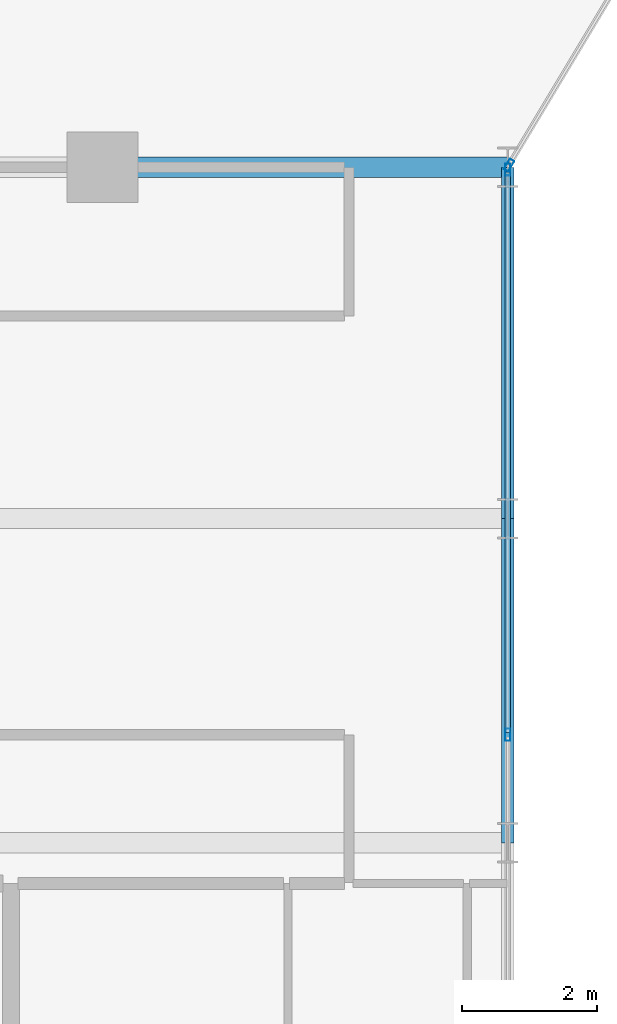
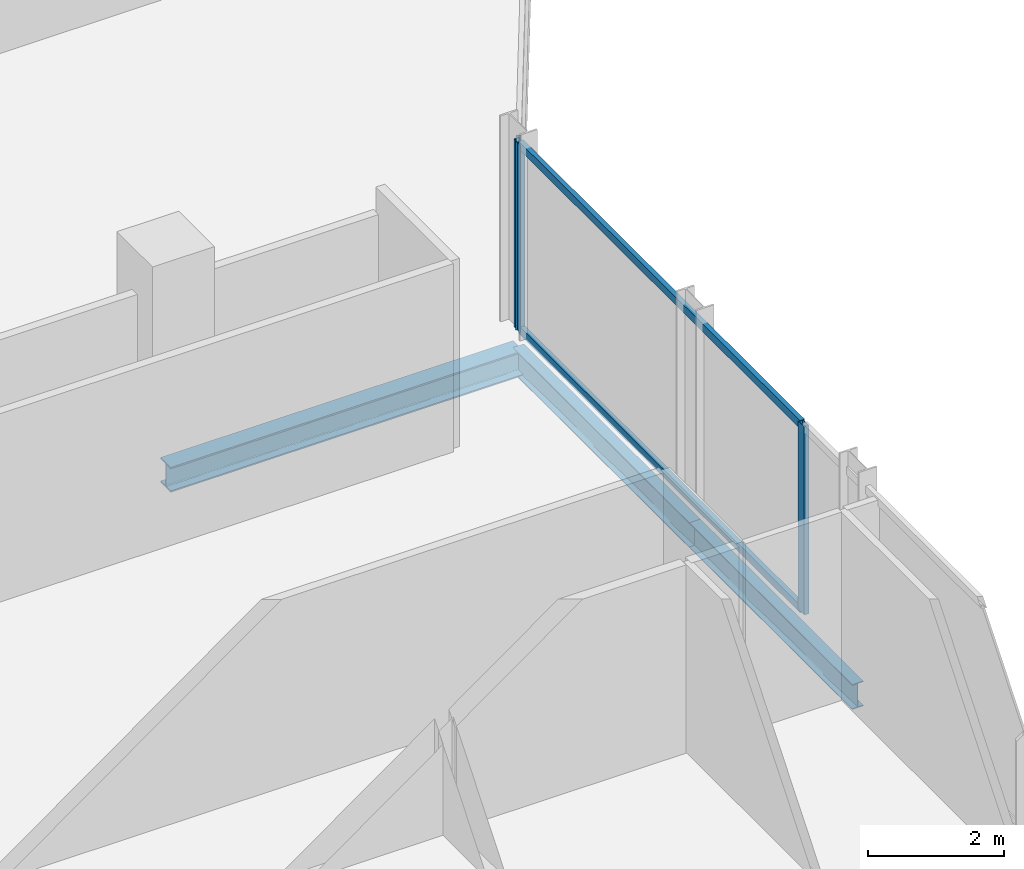
# One storey, part 12 of 30: 5 members, 3 beams, 2 elements without a shape of their own.
"""IFC4 building model written with IfcOpenShell, lengths in metres."""

import ifcopenshell
import ifcopenshell.guid

model = None  # the IFC model being written
_history = None  # IfcOwnerHistory: only IFC2X3 demands one
_inside = {}  # id of a spatial element -> (the spatial element, [elements in it])
_under = {}  # id of a project, library or spatial element -> (it, [spatial elements below it])
_declared = {}  # id of a project -> (the project, [libraries it declares])
_typed = {}  # id of a type object -> (the type object, [elements of that type])
_made_of = {}  # id of a material, layer set ... -> (it, [elements and type objects made of it])


def new_model(schema):
    """Start an empty IFC model of exactly this schema.

    Asked for "IFC4X3", IfcOpenShell would pick the latest addendum, in which some entities
    have other attributes; the version numbers below select the first issue.
    IFC2X3 requires an IfcOwnerHistory on every rooted entity: one is made here for all.
    """
    global model, _history
    if schema == "IFC4X3":
        model = ifcopenshell.file(schema_version=(4, 3, 0, 0))
    else:
        model = ifcopenshell.file(schema=schema)
    _inside.clear()
    _under.clear()
    _declared.clear()
    _typed.clear()
    _made_of.clear()
    _history = None
    if model.schema == "IFC2X3":
        org = make("IfcOrganization", Name="unknown")
        user = make(
            "IfcPersonAndOrganization",
            ThePerson=make("IfcPerson", FamilyName="unknown"),
            TheOrganization=org,
        )
        app = make(
            "IfcApplication",
            ApplicationDeveloper=org,
            Version="unknown",
            ApplicationFullName="unknown",
            ApplicationIdentifier="unknown",
        )
        _history = make(
            "IfcOwnerHistory",
            OwningUser=user,
            OwningApplication=app,
            ChangeAction="ADDED",
            CreationDate=0,
        )
    return model


def make(cls, **values):
    """One entity of the class cls with the attributes given. An attribute that is None is left unset."""
    return model.create_entity(
        cls, **{name: value for name, value in values.items() if value is not None}
    )


def rooted(cls, **values):
    """An entity with a GlobalId (a new one), such as an element, a storey or a relation."""
    return make(cls, GlobalId=ifcopenshell.guid.new(), OwnerHistory=_history, **values)


def si_unit(unit_type, name, prefix=None):
    """IfcSIUnit, for example si_unit("LENGTHUNIT", "METRE", prefix="MILLI")."""
    return make("IfcSIUnit", UnitType=unit_type, Prefix=prefix, Name=name)


def assignment(units):
    """IfcUnitAssignment: the units of a project."""
    return None if units is None else make("IfcUnitAssignment", Units=units)


def point(xyz):
    """IfcCartesianPoint."""
    return None if xyz is None else make("IfcCartesianPoint", Coordinates=xyz)


def direction(xyz):
    """IfcDirection."""
    return None if xyz is None else make("IfcDirection", DirectionRatios=xyz)


def frame(location, z_axis=None, x_axis=None):
    """IfcAxis2Placement3D, a coordinate frame: its origin and axes. An axis left out is left unset."""
    return make(
        "IfcAxis2Placement3D",
        Location=point(location),
        Axis=direction(z_axis),
        RefDirection=direction(x_axis),
    )


def frame_2d(location, x_axis=None):
    """IfcAxis2Placement2D, a coordinate frame in the plane: its origin and x axis."""
    return make(
        "IfcAxis2Placement2D", Location=point(location), RefDirection=direction(x_axis)
    )


def origin():
    """The frame at (0, 0, 0) with its axes left unset."""
    return frame((0.0, 0.0, 0.0))


def origin_2d():
    """The frame at (0, 0) in the plane with its x axis left unset."""
    return frame_2d((0.0, 0.0))


def place(relative_to, where):
    """IfcLocalPlacement: puts the frame where relative to a parent placement (None: the world)."""
    return make(
        "IfcLocalPlacement", PlacementRelTo=relative_to, RelativePlacement=where
    )


def context(
    kind, dimensions, precision=None, world=None, true_north=None, identifier=None
):
    """IfcGeometricRepresentationContext, for example the 3D "Model" context."""
    return make(
        "IfcGeometricRepresentationContext",
        ContextIdentifier=identifier,
        ContextType=kind,
        CoordinateSpaceDimension=dimensions,
        Precision=precision,
        WorldCoordinateSystem=world,
        TrueNorth=true_north,
    )


def subcontext(parent, identifier, kind, view, scale=None):
    """IfcGeometricRepresentationSubContext, for example "Body" below "Model"."""
    return make(
        "IfcGeometricRepresentationSubContext",
        ContextIdentifier=identifier,
        ContextType=kind,
        ParentContext=parent,
        TargetScale=scale,
        TargetView=view,
    )


def project(units=None, contexts=None):
    """IfcProject with its units and contexts."""
    return rooted(
        "IfcProject",
        Name="project",
        RepresentationContexts=contexts,
        UnitsInContext=assignment(units),
    )


def spatial(cls, under=None, at=None, **own):
    """A site, building, storey or space (cls), placed at a placement, below another one or the project."""
    s = rooted(cls, ObjectPlacement=at, **own)
    if under is not None:
        _under.setdefault(under.id(), (under, []))[1].append(s)
    return s


def profile(cls, at=None, kind="AREA", **sizes):
    """A parametric profile (cls). Its sizes go by their IFC names, for example OverallWidth=200.0."""
    return make(cls, ProfileType=kind, Position=at, **sizes)


def hollow_rectangle(**sizes):
    """IfcRectangleHollowProfileDef."""
    return profile("IfcRectangleHollowProfileDef", **sizes)


def i_section(**sizes):
    """IfcIShapeProfileDef."""
    return profile("IfcIShapeProfileDef", **sizes)


def extrude(swept, where, along, depth):
    """IfcExtrudedAreaSolid: the profile swept, set in the frame where, extruded along a direction by depth."""
    return make(
        "IfcExtrudedAreaSolid",
        SweptArea=swept,
        Position=where,
        ExtrudedDirection=direction(along),
        Depth=depth,
    )


def shape(context_of_items, identifier, shape_type, items):
    """IfcShapeRepresentation: the items that make up one representation, for example the "Body"."""
    return make(
        "IfcShapeRepresentation",
        ContextOfItems=context_of_items,
        RepresentationIdentifier=identifier,
        RepresentationType=shape_type,
        Items=items,
    )


def material(Name=None, Category=None):
    """IfcMaterial."""
    return make("IfcMaterial", Name=Name, Category=Category)


def layer(
    of_material, thickness, ventilated=None, Name=None, Category=None, Priority=None
):
    """IfcMaterialLayer: one layer of a wall or slab, of a material (None: an air gap)."""
    return make(
        "IfcMaterialLayer",
        Material=of_material,
        LayerThickness=thickness,
        IsVentilated=ventilated,
        Name=Name,
        Category=Category,
        Priority=Priority,
    )


def layer_set(layers, Name=None):
    """IfcMaterialLayerSet."""
    return make("IfcMaterialLayerSet", MaterialLayers=layers, LayerSetName=Name)


def material_profile(
    of_material, cross_section, Name=None, Category=None, Priority=None
):
    """IfcMaterialProfile: a cross section and its material."""
    return make(
        "IfcMaterialProfile",
        Name=Name,
        Material=of_material,
        Profile=cross_section,
        Priority=Priority,
        Category=Category,
    )


def profile_set(profiles, Name=None, composite=None):
    """IfcMaterialProfileSet."""
    return make(
        "IfcMaterialProfileSet",
        Name=Name,
        MaterialProfiles=profiles,
        CompositeProfile=composite,
    )


def made_of(thing, what):
    """Note that an element or type object is made of a material, layer set ...; save() writes the relation."""
    if what is not None:
        _made_of.setdefault(what.id(), (what, []))[1].append(thing)
    return thing


def type_object(cls, material=None, **own):
    """A type object (cls), such as IfcWallType, which elements share."""
    return made_of(rooted(cls, **own), material)


def element(
    cls,
    number,
    at=None,
    inside=None,
    cuts=None,
    type_object=None,
    material=None,
    context=None,
    identifier="Body",
    shape_type=None,
    held_by="IfcProductDefinitionShape",
    body=None,
    shapes=None,
    **own,
):
    """One element of the class cls, such as IfcWall. Its Tag is "e" and its number.

    at: its placement. inside: the storey or other place that contains it. cuts: it is an
    opening in that element (IfcRelVoidsElement). A single representation is given by context,
    identifier, shape_type and body (its items); several are given by shapes. held_by: the class
    of the entity that holds the representations. save() writes the other relations.
    """
    e = rooted(cls, Tag="e%d" % number, ObjectPlacement=at, **own)
    if body is not None:
        shapes = [shape(context, identifier, shape_type, body)]
    if shapes is not None:
        e.Representation = make(held_by, Representations=shapes)
    if inside is not None:
        _inside.setdefault(inside.id(), (inside, []))[1].append(e)
    if cuts is not None:
        rooted(
            "IfcRelVoidsElement", RelatingBuildingElement=cuts, RelatedOpeningElement=e
        )
    if type_object is not None:
        _typed.setdefault(type_object.id(), (type_object, []))[1].append(e)
    return made_of(e, material)


def aggregate(whole, parts):
    """IfcRelAggregates: a whole, such as a stair, and the parts it consists of."""
    return rooted("IfcRelAggregates", RelatingObject=whole, RelatedObjects=parts)


def save(model, path):
    """Write the relations noted so far, then the file.

    IfcRelAggregates (storeys below a building ...), IfcRelContainedInSpatialStructure (elements
    in a storey), IfcRelDefinesByType, IfcRelAssociatesMaterial and IfcRelDeclares: one each for
    every whole, place, type object, material and project.
    """
    for whole, parts in _under.values():
        aggregate(whole, parts)
    for where, things in _inside.values():
        rooted(
            "IfcRelContainedInSpatialStructure",
            RelatedElements=things,
            RelatingStructure=where,
        )
    for kind, things in _typed.values():
        rooted("IfcRelDefinesByType", RelatedObjects=things, RelatingType=kind)
    for what, things in _made_of.values():
        rooted("IfcRelAssociatesMaterial", RelatedObjects=things, RelatingMaterial=what)
    for by, libraries in _declared.values():
        rooted("IfcRelDeclares", RelatingContext=by, RelatedDefinitions=libraries)
    model.write(path)


model = new_model("IFC4")

# Units and contexts
model_context = context("Model", 3, precision=1e-05, world=origin(), true_north=direction((0.0, 1.0)))
body_context = subcontext(model_context, "Body", "Model", "MODEL_VIEW")
ifc_project = project(units=[si_unit("LENGTHUNIT", "METRE"), si_unit("AREAUNIT", "SQUARE_METRE"), si_unit("VOLUMEUNIT", "CUBIC_METRE"), si_unit("PLANEANGLEUNIT", "RADIAN"), si_unit("MASSUNIT", "GRAM", prefix="KILO")], contexts=[model_context])

# Site, building, storey
site_placement = place(None, origin())
site = spatial("IfcSite", under=ifc_project, at=site_placement, CompositionType="ELEMENT")
building_placement = place(site_placement, origin())
building = spatial("IfcBuilding", under=site, at=building_placement, Name="Keshet Zoharim Tower", CompositionType="ELEMENT")
storey_placement = place(building_placement, frame((0.0, 0.0, 90.89990234375)))
storey = spatial("IfcBuildingStorey", under=building, at=storey_placement, Name="L21", CompositionType="ELEMENT", Elevation=90.89990234375)

# Beams
ifc_material_1 = material(Name="Steel S355", Category="steel")
ifc_material_profile_1 = material_profile(ifc_material_1, i_section(OverallWidth=0.18994140625, OverallDepth=0.449951171875, WebThickness=0.009521484375, FlangeThickness=0.0146484375, FilletRadius=0.02099609375, at=origin_2d()), Name="IPE450")
ifc_profile_set_1 = profile_set([ifc_material_profile_1], Name="Steel S355")
beam_type_1 = type_object("IfcBeamType", Name="BM-PRI-IP450", PredefinedType="BEAM", material=ifc_profile_set_1)
beam_1_placement = place(storey_placement, frame((57.0, 17.89990234375, -0.539794921875), z_axis=(0.0, 1.0, 0.0), x_axis=(-1.0, 0.0, 0.0)))
element("IfcBeam", 1, at=beam_1_placement, inside=storey, type_object=beam_type_1, Name="L21 Primary Girder Y-015", PredefinedType="BEAM", context=body_context, shape_type="SweptSolid", body=[
    extrude(i_section(OverallWidth=0.18994140625, OverallDepth=0.449951171875, WebThickness=0.009521484375, FlangeThickness=0.0146484375, FilletRadius=0.02099609375, at=origin_2d()), origin(), (0.0, 0.0, 1.0), 4.800048828125),
])
beam_2_placement = place(storey_placement, frame((57.0, 22.699951171875, -0.539794921875), z_axis=(0.0, 1.0, 0.0), x_axis=(-1.0, 0.0, 0.0)))
element("IfcBeam", 2, at=beam_2_placement, inside=storey, type_object=beam_type_1, Name="L21 Primary Girder Y-016", PredefinedType="BEAM", context=body_context, shape_type="SweptSolid", body=[
    extrude(i_section(OverallWidth=0.18994140625, OverallDepth=0.449951171875, WebThickness=0.009521484375, FlangeThickness=0.0146484375, FilletRadius=0.02099609375, at=origin_2d()), origin(), (0.0, 0.0, 1.0), 5.199951171875),
])
ifc_material_profile_2 = material_profile(ifc_material_1, i_section(OverallWidth=0.300048828125, OverallDepth=0.449951171875, WebThickness=0.013916015625, FlangeThickness=0.02587890625, FilletRadius=0.027099609375, at=origin_2d()), Name="HEB450")
ifc_profile_set_2 = profile_set([ifc_material_profile_2], Name="Steel S355")
beam_type_2 = type_object("IfcBeamType", Name="BM-WEB-HB450", PredefinedType="BEAM", material=ifc_profile_set_2)
beam_3_placement = place(storey_placement, frame((51.0, 27.89990234375, -0.539794921875), z_axis=(1.0, 0.0, 0.0), x_axis=(0.0, 1.0, 0.0)))
element("IfcBeam", 3, at=beam_3_placement, inside=storey, type_object=beam_type_2, Name="L21 Primary Girder X-017", PredefinedType="BEAM", context=body_context, shape_type="SweptSolid", body=[
    extrude(i_section(OverallWidth=0.300048828125, OverallDepth=0.449951171875, WebThickness=0.013916015625, FlangeThickness=0.02587890625, FilletRadius=0.027099609375, at=origin_2d()), origin(), (0.0, 0.0, 1.0), 6.0),
])

# Curtain wall, member
ifc_material_2 = material(Name="Aluminium 6063-T6", Category="aluminium")
ifc_layer = layer(ifc_material_2, 0.159912109375)
ifc_layer_set = layer_set([ifc_layer], Name="Aluminium 6063-T6")
curtain_wall_type = type_object("IfcCurtainWallType", Name="CW-SYS-03", PredefinedType="NOTDEFINED", material=ifc_layer_set)
curtain_wall_1_placement = place(storey_placement, origin())
curtain_wall_1 = element("IfcCurtainWall", 4, at=curtain_wall_1_placement, inside=storey, type_object=curtain_wall_type, Name="L21 Unitised Curtain Wall 18", PredefinedType="NOTDEFINED")
ifc_material_profile_3 = material_profile(ifc_material_2, hollow_rectangle(XDim=0.080078125, YDim=0.179931640625, WallThickness=0.00439453125, at=origin_2d()), Name="MUL-80x180")
ifc_profile_set_3 = profile_set([ifc_material_profile_3], Name="Aluminium 6063-T6")
member_type_1 = type_object("IfcMemberType", Name="CWM-M18", PredefinedType="MULLION", material=ifc_profile_set_3)
member_1_placement = place(storey_placement, frame((57.01806640625, 27.929931640625, 0.0), z_axis=(0.0, 0.0, 1.0), x_axis=(0.857501477862, -0.514481501576, 0.0)))
member_1 = element("IfcMember", 5, at=member_1_placement, type_object=member_type_1, Name="CW-03 mullion 2", PredefinedType="MULLION", context=body_context, shape_type="SweptSolid", body=[
    extrude(hollow_rectangle(XDim=0.080078125, YDim=0.179931640625, WallThickness=0.00439453125, at=origin_2d()), origin(), (0.0, 0.0, 1.0), 3.385009765625),
])
aggregate(curtain_wall_1, [member_1])

# Curtain wall, members
curtain_wall_2_placement = place(storey_placement, origin())
curtain_wall_2 = element("IfcCurtainWall", 6, at=curtain_wall_2_placement, inside=storey, type_object=curtain_wall_type, Name="L21 Unitised Curtain Wall 19", PredefinedType="NOTDEFINED")
member_2_placement = place(storey_placement, frame((57.0, 27.864990234375, 0.0), z_axis=(0.0, 0.0, 1.0), x_axis=(1.0, 0.0, 0.0)))
member_2 = element("IfcMember", 7, at=member_2_placement, type_object=member_type_1, Name="CW-03 mullion 1", PredefinedType="MULLION", context=body_context, shape_type="SweptSolid", body=[
    extrude(hollow_rectangle(XDim=0.080078125, YDim=0.179931640625, WallThickness=0.00439453125, at=origin_2d()), origin(), (0.0, 0.0, 1.0), 3.385009765625),
])
member_3_placement = place(storey_placement, frame((57.0, 19.5, 0.0), z_axis=(0.0, 0.0, 1.0), x_axis=(1.0, 0.0, 0.0)))
member_3 = element("IfcMember", 8, at=member_3_placement, type_object=member_type_1, Name="CW-03 mullion 2", PredefinedType="MULLION", context=body_context, shape_type="SweptSolid", body=[
    extrude(hollow_rectangle(XDim=0.080078125, YDim=0.179931640625, WallThickness=0.00439453125, at=origin_2d()), origin(), (0.0, 0.0, 1.0), 3.385009765625),
])
ifc_material_profile_4 = material_profile(ifc_material_2, hollow_rectangle(XDim=0.080078125, YDim=0.139892578125, WallThickness=0.00390625, at=origin_2d()), Name="TRN-80x140")
ifc_profile_set_4 = profile_set([ifc_material_profile_4], Name="Aluminium 6063-T6")
member_type_2 = type_object("IfcMemberType", Name="CWT-T14", PredefinedType="USERDEFINED", material=ifc_profile_set_4)
member_4_placement = place(storey_placement, frame((57.0, 27.830078125, 0.03515625), z_axis=(0.0, -1.0, 0.0), x_axis=(1.0, 0.0, 0.0)))
member_4 = element("IfcMember", 9, at=member_4_placement, type_object=member_type_2, Name="CW-03 transom 1.1", ObjectType="TRANSOM", PredefinedType="USERDEFINED", context=body_context, shape_type="SweptSolid", body=[
    extrude(hollow_rectangle(XDim=0.080078125, YDim=0.139892578125, WallThickness=0.00390625, at=origin_2d()), origin(), (0.0, 0.0, 1.0), 8.295166015625),
])
member_5_placement = place(storey_placement, frame((57.0, 27.830078125, 3.35009765625), z_axis=(0.0, -1.0, 0.0), x_axis=(1.0, 0.0, 0.0)))
member_5 = element("IfcMember", 10, at=member_5_placement, type_object=member_type_2, Name="CW-03 transom 1.2", ObjectType="TRANSOM", PredefinedType="USERDEFINED", context=body_context, shape_type="SweptSolid", body=[
    extrude(hollow_rectangle(XDim=0.080078125, YDim=0.139892578125, WallThickness=0.00390625, at=origin_2d()), origin(), (0.0, 0.0, 1.0), 8.295166015625),
])
aggregate(curtain_wall_2, [member_2, member_3, member_4, member_5])

save(model, "model.ifc")
